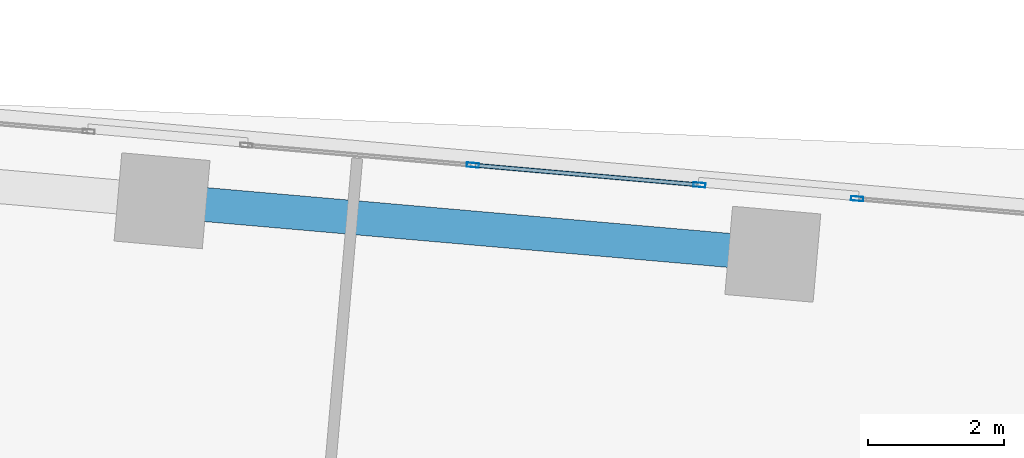
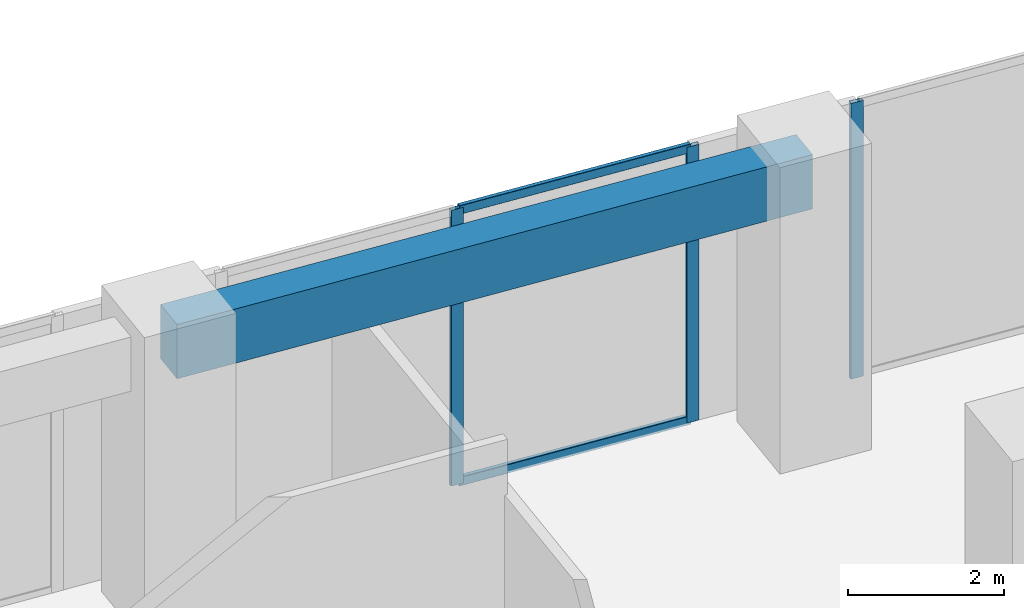
# One storey, part 17 of 24: 5 members, 1 beam, 2 elements without a shape of their own.
"""IFC4 building model written with IfcOpenShell, lengths in metres."""

from ifc_helpers import new_model, si_unit, direction, frame, origin, origin_2d, place, context, subcontext, project, spatial, rectangle, hollow_rectangle, extrude, source, transform, mapped, material, material_profile, profile_set, type_object, element, aggregate, save


model = new_model("IFC4")

# Units and contexts
model_context = context("Model", 3, precision=1e-05, world=origin(), true_north=direction((0.0, 1.0)))
body_context = subcontext(model_context, "Body", "Model", "MODEL_VIEW")
ifc_project = project(units=[si_unit("LENGTHUNIT", "METRE"), si_unit("AREAUNIT", "SQUARE_METRE"), si_unit("VOLUMEUNIT", "CUBIC_METRE"), si_unit("PLANEANGLEUNIT", "RADIAN"), si_unit("MASSUNIT", "GRAM", prefix="KILO")], contexts=[model_context])

# Site, building, storey
site_placement = place(None, origin())
site = spatial("IfcSite", under=ifc_project, at=site_placement, CompositionType="ELEMENT")
building_placement = place(site_placement, origin())
building = spatial("IfcBuilding", under=site, at=building_placement, Name="Torre Montelarca", CompositionType="ELEMENT")
storey_placement = place(building_placement, frame((0.0, 0.0, 47.199951171875)))
storey = spatial("IfcBuildingStorey", under=building, at=storey_placement, Name="L10", CompositionType="ELEMENT", Elevation=47.199951171875)

# Beam
ifc_material_1 = material(Name="Concrete C55/67", Category="concrete")
ifc_material_profile_1 = material_profile(ifc_material_1, rectangle(XDim=0.5, YDim=0.85009765625, at=origin_2d()), Name="RCB500X850", Category="concrete")
ifc_profile_set_1 = profile_set([ifc_material_profile_1], Name="Concrete C55/67")
beam_type = type_object("IfcBeamType", Name="BM-SP-RC850-EXT", PredefinedType="SPANDREL", material=ifc_profile_set_1)
shared_shape_1 = source(origin(), body_context, "Body", "SweptSolid", [
    extrude(rectangle(XDim=0.5, YDim=0.85009765625, at=origin_2d()), origin(), (0.0, 0.0, 1.0), 8.999755859375),
])
beam_placement = place(storey_placement, frame((28.299560546875, 46.613037109375, 4.135009765625), z_axis=(0.996194335816, -0.087159883478, 0.0), x_axis=(0.087159883478, 0.996194335816, 0.0)))
element("IfcBeam", 1, at=beam_placement, inside=storey, type_object=beam_type, Name="L10 Grid Girder X 27.0-36.0 at Y=47.1", PredefinedType="SPANDREL", context=body_context, shape_type="MappedRepresentation", body=[
    mapped(shared_shape_1, transform((0.0, 0.0, 0.0), scale=1.0)),
])

# Curtain wall, member
ifc_material_2 = material(Name="Insulated low-E laminated glass", Category="glass")
curtain_wall_type = type_object("IfcCurtainWallType", Name="CW-SYS-Z1", PredefinedType="USERDEFINED", material=ifc_material_2)
curtain_wall_1_placement = place(storey_placement, origin())
curtain_wall_1 = element("IfcCurtainWall", 2, at=curtain_wall_1_placement, inside=storey, type_object=curtain_wall_type, Name="L10 Curtain Wall Run CW-T3-L10-E08-B1", ObjectType="UNITISED GLAZING", PredefinedType="USERDEFINED")
ifc_material_3 = material(Name="Anodised aluminium AA 6063-T6", Category="aluminium")
ifc_material_profile_2 = material_profile(ifc_material_3, hollow_rectangle(XDim=0.06494140625, YDim=0.179931640625, WallThickness=0.00390625, InnerFilletRadius=0.00390625, OuterFilletRadius=0.008056640625, at=origin_2d()), Name="ALU65X180X4", Category="aluminium")
ifc_profile_set_2 = profile_set([ifc_material_profile_2], Name="Anodised aluminium AA 6063-T6")
member_type_1 = type_object("IfcMemberType", Name="CWM-ALU180", PredefinedType="MULLION", material=ifc_profile_set_2)
shared_shape_2 = source(origin(), body_context, "Body", "SweptSolid", [
    extrude(hollow_rectangle(XDim=0.06494140625, YDim=0.179931640625, WallThickness=0.00390625, InnerFilletRadius=0.00390625, OuterFilletRadius=0.008056640625, at=origin_2d()), origin(), (0.0, 0.0, 1.0), 4.320068359375),
])
member_1_placement = place(storey_placement, frame((38.50341796875, 46.643798828125, 0.0), z_axis=(0.0, 0.0, 1.0), x_axis=(-0.087159288088, -0.996194387908, 0.0)))
member_1 = element("IfcMember", 3, at=member_1_placement, type_object=member_type_1, Name="CW mullion 3", PredefinedType="MULLION", context=body_context, shape_type="MappedRepresentation", body=[
    mapped(shared_shape_2, transform((0.0, 0.0, 0.0), scale=1.0)),
])
aggregate(curtain_wall_1, [member_1])

# Curtain wall, members
curtain_wall_2_placement = place(storey_placement, origin())
curtain_wall_2 = element("IfcCurtainWall", 4, at=curtain_wall_2_placement, inside=storey, type_object=curtain_wall_type, Name="L10 Curtain Wall Run CW-T3-L10-E08-B2", ObjectType="UNITISED GLAZING", PredefinedType="USERDEFINED")
member_2_placement = place(storey_placement, frame((36.187255859375, 46.846435546875, 0.0), z_axis=(0.0, 0.0, 1.0), x_axis=(-0.087152042037, -0.996195021855, 0.0)))
member_2 = element("IfcMember", 5, at=member_2_placement, type_object=member_type_1, Name="CW mullion 1", PredefinedType="MULLION", context=body_context, shape_type="MappedRepresentation", body=[
    mapped(shared_shape_2, transform((0.0, 0.0, 0.0), scale=1.0)),
])
member_3_placement = place(storey_placement, frame((32.862548828125, 47.13720703125, 0.0), z_axis=(0.0, 0.0, 1.0), x_axis=(-0.087152042037, -0.996195021855, 0.0)))
member_3 = element("IfcMember", 6, at=member_3_placement, type_object=member_type_1, Name="CW mullion 2", PredefinedType="MULLION", context=body_context, shape_type="MappedRepresentation", body=[
    mapped(shared_shape_2, transform((0.0, 0.0, 0.0), scale=1.0)),
])
ifc_material_profile_3 = material_profile(ifc_material_3, hollow_rectangle(XDim=0.06494140625, YDim=0.139892578125, WallThickness=0.00390625, InnerFilletRadius=0.00390625, OuterFilletRadius=0.008056640625, at=origin_2d()), Name="ALU65X140X4", Category="aluminium")
ifc_profile_set_3 = profile_set([ifc_material_profile_3], Name="Anodised aluminium AA 6063-T6")
member_type_2 = type_object("IfcMemberType", Name="CWT-ALU140", PredefinedType="USERDEFINED", material=ifc_profile_set_3)
shared_shape_3 = source(origin(), body_context, "Body", "SweptSolid", [
    extrude(hollow_rectangle(XDim=0.06494140625, YDim=0.139892578125, WallThickness=0.00390625, InnerFilletRadius=0.00390625, OuterFilletRadius=0.008056640625, at=origin_2d()), origin(), (0.0, 0.0, 1.0), 3.2724609375),
])
member_4_placement = place(storey_placement, frame((36.155029296875, 46.849365234375, 0.032470703125), z_axis=(-0.996196227428, 0.087138260588, 0.0), x_axis=(-0.087138260588, -0.996196227428, 0.0)))
member_4 = element("IfcMember", 7, at=member_4_placement, type_object=member_type_2, Name="CW transom 1.1", ObjectType="TRANSOM", PredefinedType="USERDEFINED", context=body_context, shape_type="MappedRepresentation", body=[
    mapped(shared_shape_3, transform((0.0, 0.0, 0.0), scale=1.0)),
])
member_5_placement = place(storey_placement, frame((36.155029296875, 46.849365234375, 4.28759765625), z_axis=(-0.996196227428, 0.087138260588, 0.0), x_axis=(-0.087138260588, -0.996196227428, 0.0)))
member_5 = element("IfcMember", 8, at=member_5_placement, type_object=member_type_2, Name="CW transom 1.2", ObjectType="TRANSOM", PredefinedType="USERDEFINED", context=body_context, shape_type="MappedRepresentation", body=[
    mapped(shared_shape_3, transform((0.0, 0.0, 0.0), scale=1.0)),
])
aggregate(curtain_wall_2, [member_2, member_3, member_4, member_5])

save(model, "model.ifc")
